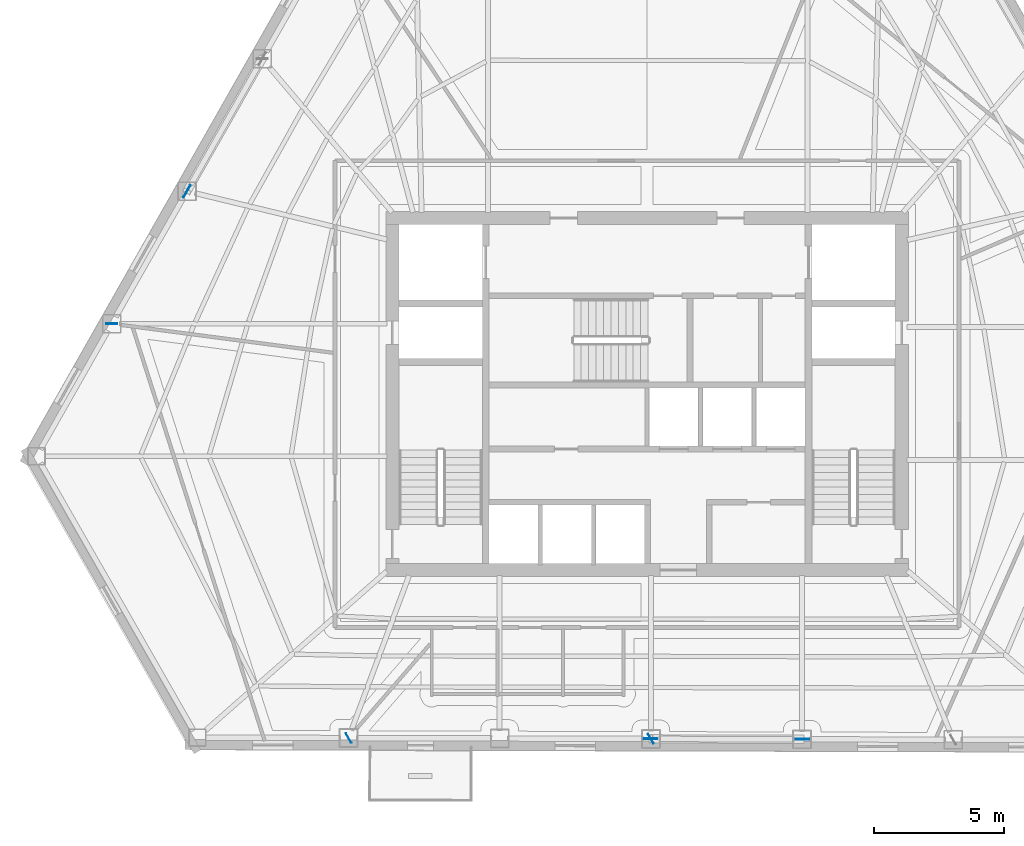
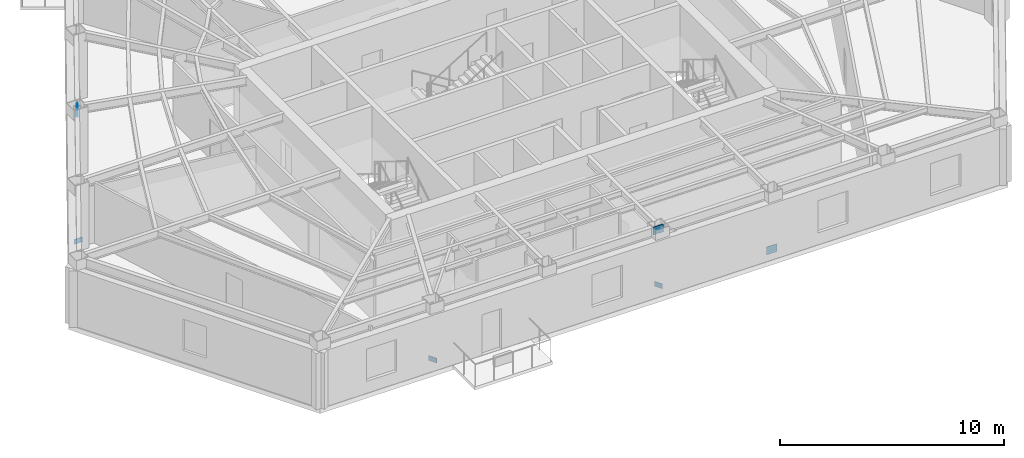
# One storey, part 4 of 13: 6 plates.
"""IFC4 building model written with IfcOpenShell, lengths in metres."""

from ifc_helpers import new_model, si_unit, direction, frame, origin, origin_2d, place, context, subcontext, project, spatial, rectangle, extrude, material, layer, layer_set, type_object, element, save


model = new_model("IFC4")

# Units and contexts
model_context = context("Model", 3, precision=1e-05, world=origin(), true_north=direction((0.0, 1.0)))
body_context = subcontext(model_context, "Body", "Model", "MODEL_VIEW")
ifc_project = project(units=[si_unit("LENGTHUNIT", "METRE"), si_unit("AREAUNIT", "SQUARE_METRE"), si_unit("VOLUMEUNIT", "CUBIC_METRE"), si_unit("PLANEANGLEUNIT", "RADIAN"), si_unit("MASSUNIT", "GRAM", prefix="KILO")], contexts=[model_context])

# Site, building, storey
site_placement = place(None, origin())
site = spatial("IfcSite", under=ifc_project, at=site_placement, CompositionType="ELEMENT")
building_placement = place(site_placement, origin())
building = spatial("IfcBuilding", under=site, at=building_placement, Name="Kavelnor Concourse Tower", CompositionType="ELEMENT")
storey_placement = place(building_placement, frame((0.0, 0.0, 97.050048828125)))
storey = spatial("IfcBuildingStorey", under=building, at=storey_placement, Name="L24", CompositionType="ELEMENT", Elevation=97.050048828125)

# Plates
ifc_material = material(Name="Steel Grade 350", Category="steel")
ifc_layer_1 = layer(ifc_material, 0.031982421875, Name="Steel Grade 350")
ifc_layer_set_1 = layer_set([ifc_layer_1], Name="Steel Grade 350")
plate_type_1 = type_object("IfcPlateType", Name="PL-GUSSET-TUBE-Z1", PredefinedType="USERDEFINED", material=ifc_layer_set_1)
for number, where, z_axis, x_axis, name in (
    (1, (20.34814453125, 23.86865234375, 3.12353515625), (0.0, 0.0, 1.0), (-0.493790103568, -0.86958112538, 0.0), "L24 Tube Brace Gusset GP3 F0-B3 End Gusset B"),
    (2, (43.9580078125, 2.855712890625, 0.010009765625), (0.0, 0.0, 1.0), (-0.9999961009, 0.002792523174, 0.0), "L24 Tube Brace Gusset GP3 F1-B3 End Gusset A"),
    (3, (38.135009765625, 2.8720703125, 3.12353515625), (0.0, 0.0, 1.0), (-0.9999961009, 0.002792523174, 0.0), "L24 Tube Brace Gusset GP3 F1-B3 End Gusset B"),
):
    element("IfcPlate", number, at=place(storey_placement, frame(where, z_axis=z_axis, x_axis=x_axis)), inside=storey, type_object=plate_type_1, Name=name, ObjectType="GUSSET_PLATE", PredefinedType="USERDEFINED", context=body_context, shape_type="SweptSolid", body=[
        extrude(rectangle(XDim=0.52001953125, YDim=0.031982421875, at=origin_2d()), origin(), (0.0, 0.0, 1.0), 0.419921875),
    ])
ifc_layer_2 = layer(ifc_material, 0.02490234375, Name="Steel Grade 350")
ifc_layer_set_2 = layer_set([ifc_layer_2], Name="Steel Grade 350")
plate_type_2 = type_object("IfcPlateType", Name="PL-SPLICE-FLANGE", PredefinedType="SHEET", material=ifc_layer_set_2)
for number, where, z_axis, x_axis, name in (
    (4, (17.468017578125, 18.79638671875, 0.169921875), (0.0, 0.0, 1.0), (1.0, 0.0, 0.0), "L24 Column Flange Splice Plate F0-B5"),
    (5, (26.549560546875, 2.904296875, 0.169921875), (0.0, 0.0, 1.0), (-0.5, 0.866025403784, 0.0), "L24 Column Flange Splice Plate F1-B1"),
    (6, (38.147216796875, 2.8720703125, 0.169921875), (0.0, 0.0, 1.0), (-0.5, 0.866025403784, 0.0), "L24 Column Flange Splice Plate F1-B3"),
):
    element("IfcPlate", number, at=place(storey_placement, frame(where, z_axis=z_axis, x_axis=x_axis)), inside=storey, type_object=plate_type_2, Name=name, PredefinedType="SHEET", context=body_context, shape_type="SweptSolid", body=[
        extrude(rectangle(XDim=0.419921875, YDim=0.02490234375, at=origin_2d()), origin(), (0.0, 0.0, 1.0), 0.260009765625),
    ])

save(model, "model.ifc")
